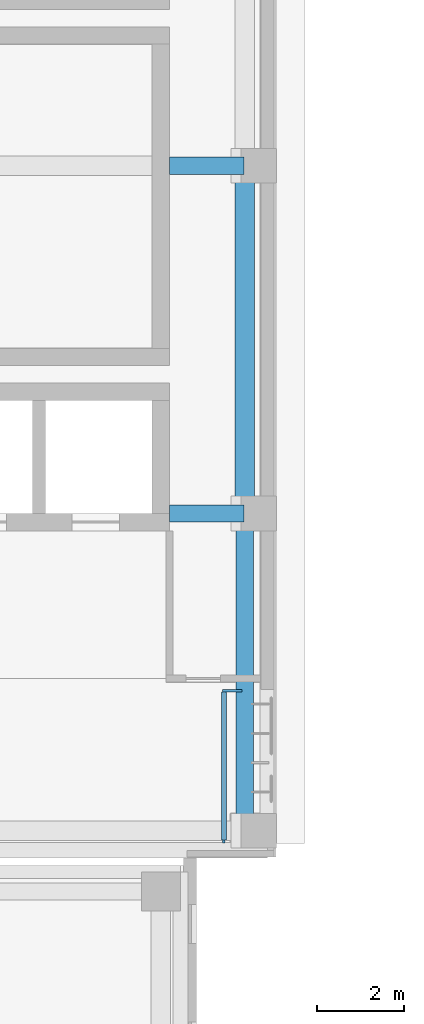
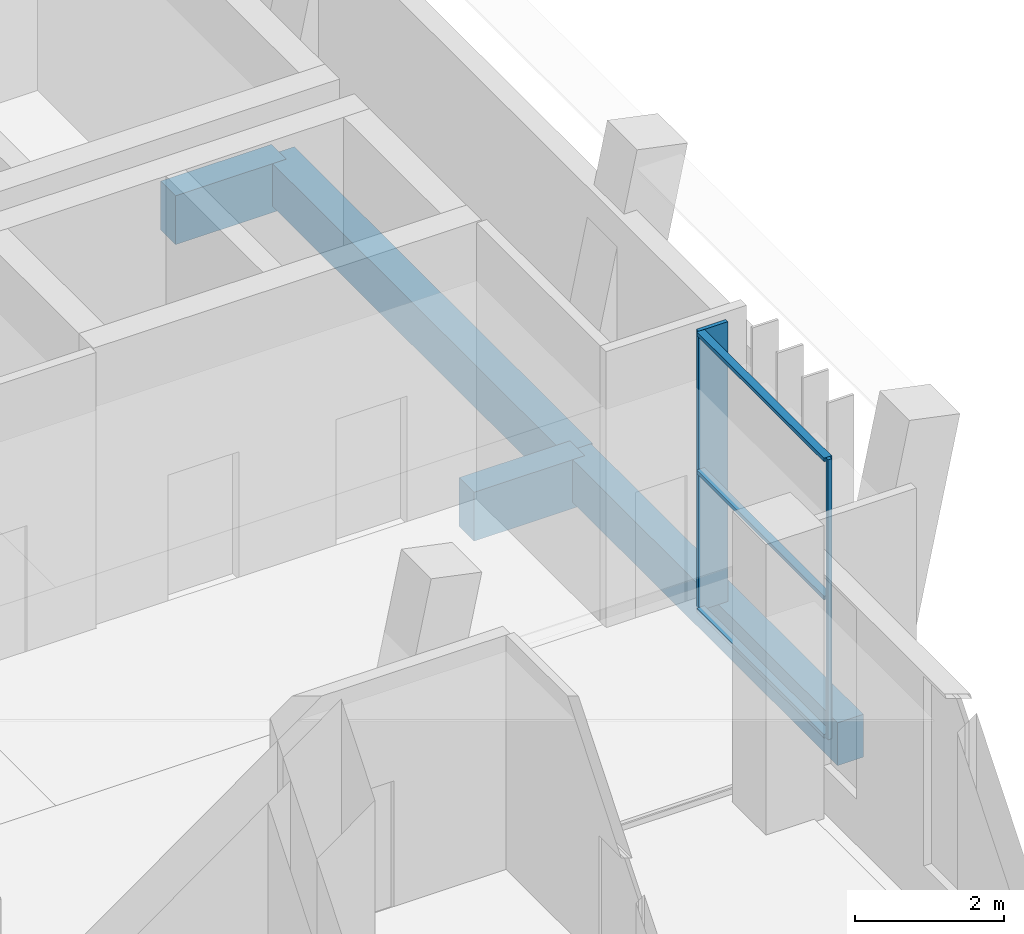
# One storey, part 80 of 141: 5 members, 4 beams, 1 element without a shape of its own.
"""IFC4 building model written with IfcOpenShell, lengths in metres."""

import ifcopenshell
import ifcopenshell.guid

model = None  # the IFC model being written
_history = None  # IfcOwnerHistory: only IFC2X3 demands one
_inside = {}  # id of a spatial element -> (the spatial element, [elements in it])
_under = {}  # id of a project, library or spatial element -> (it, [spatial elements below it])
_declared = {}  # id of a project -> (the project, [libraries it declares])
_typed = {}  # id of a type object -> (the type object, [elements of that type])
_made_of = {}  # id of a material, layer set ... -> (it, [elements and type objects made of it])


def new_model(schema):
    """Start an empty IFC model of exactly this schema.

    Asked for "IFC4X3", IfcOpenShell would pick the latest addendum, in which some entities
    have other attributes; the version numbers below select the first issue.
    IFC2X3 requires an IfcOwnerHistory on every rooted entity: one is made here for all.
    """
    global model, _history
    if schema == "IFC4X3":
        model = ifcopenshell.file(schema_version=(4, 3, 0, 0))
    else:
        model = ifcopenshell.file(schema=schema)
    _inside.clear()
    _under.clear()
    _declared.clear()
    _typed.clear()
    _made_of.clear()
    _history = None
    if model.schema == "IFC2X3":
        org = make("IfcOrganization", Name="unknown")
        user = make(
            "IfcPersonAndOrganization",
            ThePerson=make("IfcPerson", FamilyName="unknown"),
            TheOrganization=org,
        )
        app = make(
            "IfcApplication",
            ApplicationDeveloper=org,
            Version="unknown",
            ApplicationFullName="unknown",
            ApplicationIdentifier="unknown",
        )
        _history = make(
            "IfcOwnerHistory",
            OwningUser=user,
            OwningApplication=app,
            ChangeAction="ADDED",
            CreationDate=0,
        )
    return model


def make(cls, **values):
    """One entity of the class cls with the attributes given. An attribute that is None is left unset."""
    return model.create_entity(
        cls, **{name: value for name, value in values.items() if value is not None}
    )


def rooted(cls, **values):
    """An entity with a GlobalId (a new one), such as an element, a storey or a relation."""
    return make(cls, GlobalId=ifcopenshell.guid.new(), OwnerHistory=_history, **values)


def si_unit(unit_type, name, prefix=None):
    """IfcSIUnit, for example si_unit("LENGTHUNIT", "METRE", prefix="MILLI")."""
    return make("IfcSIUnit", UnitType=unit_type, Prefix=prefix, Name=name)


def assignment(units):
    """IfcUnitAssignment: the units of a project."""
    return None if units is None else make("IfcUnitAssignment", Units=units)


def point(xyz):
    """IfcCartesianPoint."""
    return None if xyz is None else make("IfcCartesianPoint", Coordinates=xyz)


def direction(xyz):
    """IfcDirection."""
    return None if xyz is None else make("IfcDirection", DirectionRatios=xyz)


def frame(location, z_axis=None, x_axis=None):
    """IfcAxis2Placement3D, a coordinate frame: its origin and axes. An axis left out is left unset."""
    return make(
        "IfcAxis2Placement3D",
        Location=point(location),
        Axis=direction(z_axis),
        RefDirection=direction(x_axis),
    )


def frame_2d(location, x_axis=None):
    """IfcAxis2Placement2D, a coordinate frame in the plane: its origin and x axis."""
    return make(
        "IfcAxis2Placement2D", Location=point(location), RefDirection=direction(x_axis)
    )


def origin():
    """The frame at (0, 0, 0) with its axes left unset."""
    return frame((0.0, 0.0, 0.0))


def origin_2d():
    """The frame at (0, 0) in the plane with its x axis left unset."""
    return frame_2d((0.0, 0.0))


def place(relative_to, where):
    """IfcLocalPlacement: puts the frame where relative to a parent placement (None: the world)."""
    return make(
        "IfcLocalPlacement", PlacementRelTo=relative_to, RelativePlacement=where
    )


def context(
    kind, dimensions, precision=None, world=None, true_north=None, identifier=None
):
    """IfcGeometricRepresentationContext, for example the 3D "Model" context."""
    return make(
        "IfcGeometricRepresentationContext",
        ContextIdentifier=identifier,
        ContextType=kind,
        CoordinateSpaceDimension=dimensions,
        Precision=precision,
        WorldCoordinateSystem=world,
        TrueNorth=true_north,
    )


def subcontext(parent, identifier, kind, view, scale=None):
    """IfcGeometricRepresentationSubContext, for example "Body" below "Model"."""
    return make(
        "IfcGeometricRepresentationSubContext",
        ContextIdentifier=identifier,
        ContextType=kind,
        ParentContext=parent,
        TargetScale=scale,
        TargetView=view,
    )


def project(units=None, contexts=None):
    """IfcProject with its units and contexts."""
    return rooted(
        "IfcProject",
        Name="project",
        RepresentationContexts=contexts,
        UnitsInContext=assignment(units),
    )


def spatial(cls, under=None, at=None, **own):
    """A site, building, storey or space (cls), placed at a placement, below another one or the project."""
    s = rooted(cls, ObjectPlacement=at, **own)
    if under is not None:
        _under.setdefault(under.id(), (under, []))[1].append(s)
    return s


def profile(cls, at=None, kind="AREA", **sizes):
    """A parametric profile (cls). Its sizes go by their IFC names, for example OverallWidth=200.0."""
    return make(cls, ProfileType=kind, Position=at, **sizes)


def rectangle(**sizes):
    """IfcRectangleProfileDef."""
    return profile("IfcRectangleProfileDef", **sizes)


def extrude(swept, where, along, depth):
    """IfcExtrudedAreaSolid: the profile swept, set in the frame where, extruded along a direction by depth."""
    return make(
        "IfcExtrudedAreaSolid",
        SweptArea=swept,
        Position=where,
        ExtrudedDirection=direction(along),
        Depth=depth,
    )


def shape(context_of_items, identifier, shape_type, items):
    """IfcShapeRepresentation: the items that make up one representation, for example the "Body"."""
    return make(
        "IfcShapeRepresentation",
        ContextOfItems=context_of_items,
        RepresentationIdentifier=identifier,
        RepresentationType=shape_type,
        Items=items,
    )


def material(Name=None, Category=None):
    """IfcMaterial."""
    return make("IfcMaterial", Name=Name, Category=Category)


def material_profile(
    of_material, cross_section, Name=None, Category=None, Priority=None
):
    """IfcMaterialProfile: a cross section and its material."""
    return make(
        "IfcMaterialProfile",
        Name=Name,
        Material=of_material,
        Profile=cross_section,
        Priority=Priority,
        Category=Category,
    )


def profile_set(profiles, Name=None, composite=None):
    """IfcMaterialProfileSet."""
    return make(
        "IfcMaterialProfileSet",
        Name=Name,
        MaterialProfiles=profiles,
        CompositeProfile=composite,
    )


def made_of(thing, what):
    """Note that an element or type object is made of a material, layer set ...; save() writes the relation."""
    if what is not None:
        _made_of.setdefault(what.id(), (what, []))[1].append(thing)
    return thing


def type_object(cls, material=None, **own):
    """A type object (cls), such as IfcWallType, which elements share."""
    return made_of(rooted(cls, **own), material)


def element(
    cls,
    number,
    at=None,
    inside=None,
    cuts=None,
    type_object=None,
    material=None,
    context=None,
    identifier="Body",
    shape_type=None,
    held_by="IfcProductDefinitionShape",
    body=None,
    shapes=None,
    **own,
):
    """One element of the class cls, such as IfcWall. Its Tag is "e" and its number.

    at: its placement. inside: the storey or other place that contains it. cuts: it is an
    opening in that element (IfcRelVoidsElement). A single representation is given by context,
    identifier, shape_type and body (its items); several are given by shapes. held_by: the class
    of the entity that holds the representations. save() writes the other relations.
    """
    e = rooted(cls, Tag="e%d" % number, ObjectPlacement=at, **own)
    if body is not None:
        shapes = [shape(context, identifier, shape_type, body)]
    if shapes is not None:
        e.Representation = make(held_by, Representations=shapes)
    if inside is not None:
        _inside.setdefault(inside.id(), (inside, []))[1].append(e)
    if cuts is not None:
        rooted(
            "IfcRelVoidsElement", RelatingBuildingElement=cuts, RelatedOpeningElement=e
        )
    if type_object is not None:
        _typed.setdefault(type_object.id(), (type_object, []))[1].append(e)
    return made_of(e, material)


def aggregate(whole, parts):
    """IfcRelAggregates: a whole, such as a stair, and the parts it consists of."""
    return rooted("IfcRelAggregates", RelatingObject=whole, RelatedObjects=parts)


def save(model, path):
    """Write the relations noted so far, then the file.

    IfcRelAggregates (storeys below a building ...), IfcRelContainedInSpatialStructure (elements
    in a storey), IfcRelDefinesByType, IfcRelAssociatesMaterial and IfcRelDeclares: one each for
    every whole, place, type object, material and project.
    """
    for whole, parts in _under.values():
        aggregate(whole, parts)
    for where, things in _inside.values():
        rooted(
            "IfcRelContainedInSpatialStructure",
            RelatedElements=things,
            RelatingStructure=where,
        )
    for kind, things in _typed.values():
        rooted("IfcRelDefinesByType", RelatedObjects=things, RelatingType=kind)
    for what, things in _made_of.values():
        rooted("IfcRelAssociatesMaterial", RelatedObjects=things, RelatingMaterial=what)
    for by, libraries in _declared.values():
        rooted("IfcRelDeclares", RelatingContext=by, RelatedDefinitions=libraries)
    model.write(path)


model = new_model("IFC4")

# Units and contexts
model_context = context("Model", 3, precision=1e-05, world=origin(), true_north=direction((0.0, 1.0)))
body_context = subcontext(model_context, "Body", "Model", "MODEL_VIEW")
ifc_project = project(units=[si_unit("LENGTHUNIT", "METRE"), si_unit("AREAUNIT", "SQUARE_METRE"), si_unit("VOLUMEUNIT", "CUBIC_METRE"), si_unit("PLANEANGLEUNIT", "RADIAN"), si_unit("MASSUNIT", "GRAM", prefix="KILO")], contexts=[model_context])

# Site, building, storey
site_placement = place(None, origin())
site = spatial("IfcSite", under=ifc_project, at=site_placement, CompositionType="ELEMENT")
building_placement = place(site_placement, origin())
building = spatial("IfcBuilding", under=site, at=building_placement, Name="Lantern Court Media Centre", CompositionType="ELEMENT")
storey_placement = place(building_placement, frame((0.0, 0.0, 9.60009765625)))
storey = spatial("IfcBuildingStorey", under=building, at=storey_placement, Name="L02", CompositionType="ELEMENT", Elevation=9.60009765625)

# Curtain wall, members
ifc_material_1 = material(Name="Curtain wall bay 3000")
curtain_wall_type = type_object("IfcCurtainWallType", Name="Curtain wall bay 3000", PredefinedType="NOTDEFINED", material=ifc_material_1)
curtain_wall_placement = place(storey_placement, origin())
curtain_wall = element("IfcCurtainWall", 1, at=curtain_wall_placement, inside=storey, type_object=curtain_wall_type, Name="Curtain wall E outer L02", PredefinedType="NOTDEFINED")
ifc_material_2 = material(Name="Anodised aluminium", Category="aluminium")
ifc_material_profile_1 = material_profile(ifc_material_2, rectangle(XDim=0.449951171875, YDim=0.06005859375, at=origin_2d()), Name="AL 60x450")
ifc_profile_set_1 = profile_set([ifc_material_profile_1], Name="Anodised aluminium")
member_type_1 = type_object("IfcMemberType", Name="Curtain wall mullion 60x450", PredefinedType="MULLION", material=ifc_profile_set_1)
member_1_placement = place(storey_placement, frame((97.044921875, 67.919921875, 0.0), z_axis=(0.0, 0.0, 1.0), x_axis=(-1.0, 0.0, 0.0)))
member_1 = element("IfcMember", 2, at=member_1_placement, type_object=member_type_1, Name="CW1 mullion 2", PredefinedType="MULLION", context=body_context, shape_type="SweptSolid", body=[
    extrude(rectangle(XDim=0.449951171875, YDim=0.06005859375, at=origin_2d()), origin(), (0.0, 0.0, 1.0), 4.579833984375),
])
ifc_material_profile_2 = material_profile(ifc_material_2, rectangle(XDim=0.06005859375, YDim=0.06005859375, at=origin_2d()), Name="AL 60x60")
ifc_profile_set_2 = profile_set([ifc_material_profile_2], Name="Anodised aluminium")
member_type_2 = type_object("IfcMemberType", Name="Curtain wall mullion 60x60", PredefinedType="MULLION", material=ifc_profile_set_2)
member_2_placement = place(storey_placement, frame((96.85009765625, 64.449951171875, 0.0), z_axis=(0.0, 0.0, 1.0), x_axis=(-1.0, 0.0, 0.0)))
member_2 = element("IfcMember", 3, at=member_2_placement, type_object=member_type_2, Name="CW1 mullion 1", PredefinedType="MULLION", context=body_context, shape_type="SweptSolid", body=[
    extrude(rectangle(XDim=0.06005859375, YDim=0.06005859375, at=origin_2d()), origin(), (0.0, 0.0, 1.0), 4.579833984375),
])
ifc_material_profile_3 = material_profile(ifc_material_2, rectangle(XDim=0.1201171875, YDim=0.06005859375, at=origin_2d()), Name="AL 60x120")
ifc_profile_set_3 = profile_set([ifc_material_profile_3], Name="Anodised aluminium")
member_type_3 = type_object("IfcMemberType", Name="Curtain wall transom 60x120", PredefinedType="USERDEFINED", material=ifc_profile_set_3)
member_3_placement = place(storey_placement, frame((96.85009765625, 64.47998046875, 0.02978515625), z_axis=(0.0, 1.0, 0.0), x_axis=(-1.0, 0.0, 0.0)))
member_3 = element("IfcMember", 4, at=member_3_placement, type_object=member_type_3, Name="CW1 transom 1.1", ObjectType="TRANSOM", PredefinedType="USERDEFINED", context=body_context, shape_type="SweptSolid", body=[
    extrude(rectangle(XDim=0.1201171875, YDim=0.06005859375, at=origin_2d()), origin(), (0.0, 0.0, 1.0), 3.409912109375),
])
member_4_placement = place(storey_placement, frame((96.85009765625, 64.47998046875, 2.289794921875), z_axis=(0.0, 1.0, 0.0), x_axis=(-1.0, 0.0, 0.0)))
member_4 = element("IfcMember", 5, at=member_4_placement, type_object=member_type_3, Name="CW1 transom 1.2", ObjectType="TRANSOM", PredefinedType="USERDEFINED", context=body_context, shape_type="SweptSolid", body=[
    extrude(rectangle(XDim=0.1201171875, YDim=0.06005859375, at=origin_2d()), origin(), (0.0, 0.0, 1.0), 3.409912109375),
])
member_5_placement = place(storey_placement, frame((96.85009765625, 64.47998046875, 4.5498046875), z_axis=(0.0, 1.0, 0.0), x_axis=(-1.0, 0.0, 0.0)))
member_5 = element("IfcMember", 6, at=member_5_placement, type_object=member_type_3, Name="CW1 transom 1.3", ObjectType="TRANSOM", PredefinedType="USERDEFINED", context=body_context, shape_type="SweptSolid", body=[
    extrude(rectangle(XDim=0.1201171875, YDim=0.06005859375, at=origin_2d()), origin(), (0.0, 0.0, 1.0), 3.409912109375),
])
aggregate(curtain_wall, [member_2, member_1, member_3, member_4, member_5])

# Beams
ifc_material_3 = material(Name="Concrete C35", Category="concrete")
ifc_material_profile_4 = material_profile(ifc_material_3, rectangle(XDim=0.39990234375, YDim=0.699951171875, at=origin_2d()), Name="RC 400x700")
ifc_profile_set_4 = profile_set([ifc_material_profile_4], Name="Concrete C35")
beam_type_1 = type_object("IfcBeamType", Name="RC BEAM 400x700", PredefinedType="BEAM", material=ifc_profile_set_4)
beam_1_placement = place(storey_placement, frame((97.3271484375, 64.699951171875, -0.35009765625), z_axis=(0.0, 1.0, 0.0), x_axis=(-1.0, 0.0, 0.0)))
element("IfcBeam", 7, at=beam_1_placement, inside=storey, type_object=beam_type_1, Name="LB-E-L02-2-0", PredefinedType="BEAM", context=body_context, shape_type="SweptSolid", body=[
    extrude(rectangle(XDim=0.39990234375, YDim=0.699951171875, at=origin_2d()), origin(), (0.0, 0.0, 1.0), 7.300048828125),
])
ifc_material_profile_5 = material_profile(ifc_material_3, rectangle(XDim=0.39990234375, YDim=0.800048828125, at=origin_2d()), Name="RC 400x800")
ifc_profile_set_5 = profile_set([ifc_material_profile_5], Name="Concrete C35")
beam_type_2 = type_object("IfcBeamType", Name="RC BEAM 400x800", PredefinedType="BEAM", material=ifc_profile_set_5)
for number, where, z_axis, x_axis, name in (
    (8, (95.60009765625, 72.0, -0.400146484375), (1.0, 0.0, 0.0), (0.0, 1.0, 0.0), "TB-E-L02-1-2"),
    (9, (95.60009765625, 80.0, -0.400146484375), (1.0, 0.0, 0.0), (0.0, 1.0, 0.0), "TB-E-L02-2-12"),
):
    element("IfcBeam", number, at=place(storey_placement, frame(where, z_axis=z_axis, x_axis=x_axis)), inside=storey, type_object=beam_type_2, Name=name, PredefinedType="BEAM", context=body_context, shape_type="SweptSolid", body=[
        extrude(rectangle(XDim=0.39990234375, YDim=0.800048828125, at=origin_2d()), origin(), (0.0, 0.0, 1.0), 1.716552734375),
    ])
ifc_material_profile_6 = material_profile(ifc_material_3, rectangle(XDim=0.449951171875, YDim=0.699951171875, at=origin_2d()), Name="RC 450x700")
ifc_profile_set_6 = profile_set([ifc_material_profile_6], Name="Concrete C35")
beam_type_3 = type_object("IfcBeamType", Name="RC BEAM 450x700", PredefinedType="BEAM", material=ifc_profile_set_6)
beam_2_placement = place(storey_placement, frame((97.3271484375, 72.0, -0.35009765625), z_axis=(0.0, 1.0, 0.0), x_axis=(-1.0, 0.0, 0.0)))
element("IfcBeam", 10, at=beam_2_placement, inside=storey, type_object=beam_type_3, Name="LB-E-L02-2-1", PredefinedType="BEAM", context=body_context, shape_type="SweptSolid", body=[
    extrude(rectangle(XDim=0.449951171875, YDim=0.699951171875, at=origin_2d()), origin(), (0.0, 0.0, 1.0), 8.0),
])

save(model, "model.ifc")
